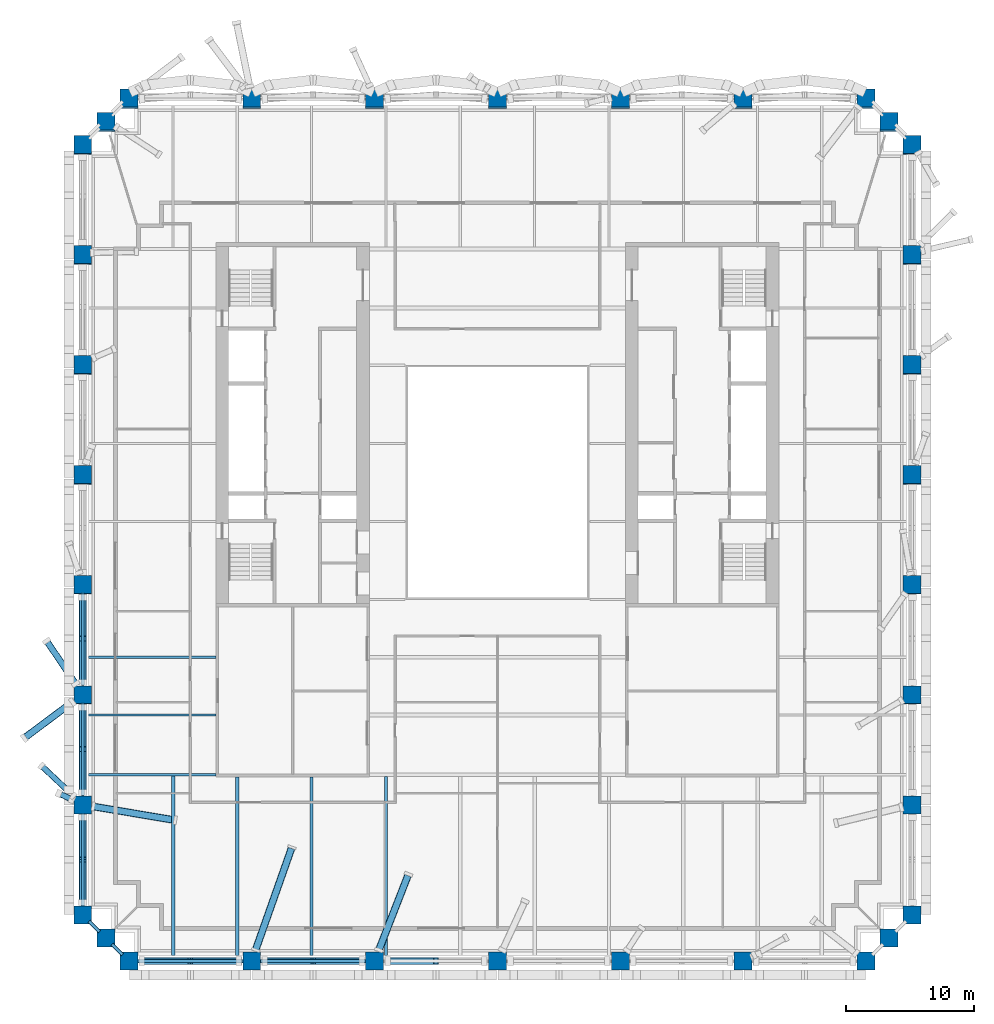
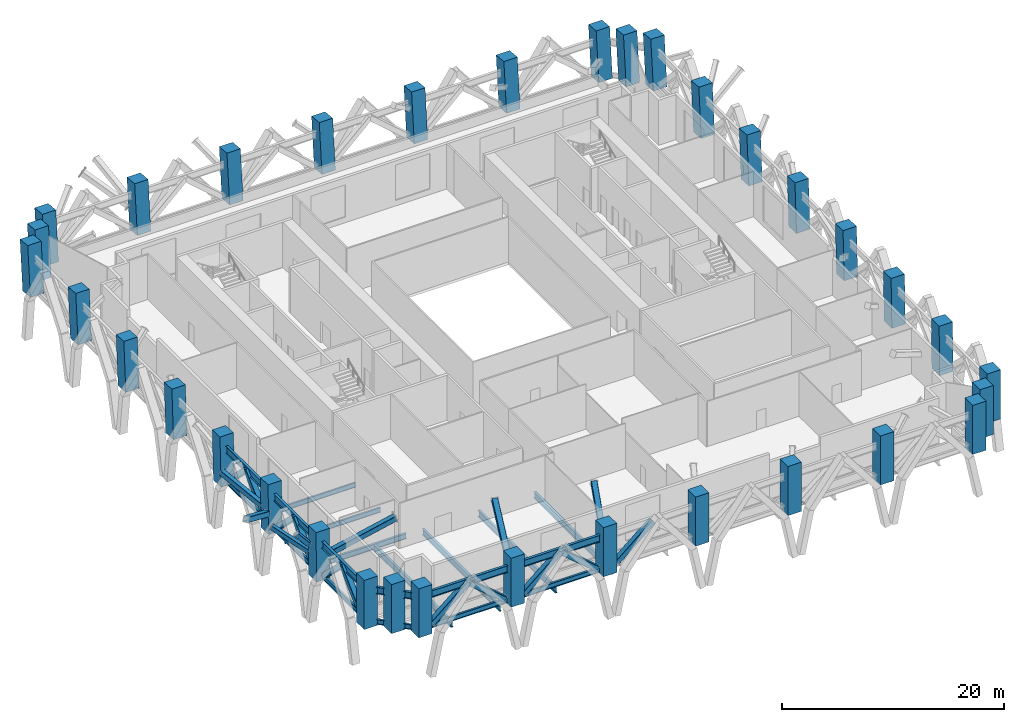
# One storey, part 1 of 19: 34 columns, 21 beams, 18 members.
"""IFC4 building model written with IfcOpenShell, lengths in metres."""

from ifc_helpers import new_model, si_unit, direction, frame, origin, origin_2d, place, context, subcontext, project, spatial, rectangle, hollow_rectangle, i_section, extrude, material, material_profile, profile_set, type_object, element, save


model = new_model("IFC4")

# Units and contexts
model_context = context("Model", 3, precision=1e-05, world=origin(), true_north=direction((0.0, 1.0)))
body_context = subcontext(model_context, "Body", "Model", "MODEL_VIEW")
ifc_project = project(units=[si_unit("LENGTHUNIT", "METRE"), si_unit("AREAUNIT", "SQUARE_METRE"), si_unit("VOLUMEUNIT", "CUBIC_METRE"), si_unit("PLANEANGLEUNIT", "RADIAN"), si_unit("MASSUNIT", "GRAM", prefix="KILO")], contexts=[model_context])

# Site, building, storey
site_placement = place(None, origin())
site = spatial("IfcSite", under=ifc_project, at=site_placement, CompositionType="ELEMENT")
building_placement = place(site_placement, origin())
building = spatial("IfcBuilding", under=site, at=building_placement, Name="Ogive Exchange Tower", CompositionType="ELEMENT")
storey_placement = place(building_placement, frame((0.0, 0.0, 94.199951171875)))
storey = spatial("IfcBuildingStorey", under=building, at=storey_placement, Name="L20", CompositionType="ELEMENT", Elevation=94.199951171875)

# Columns
ifc_material_1 = material(Name="Precast concrete C70/85 (limestone faced)", Category="masonry")
ifc_material_profile_1 = material_profile(ifc_material_1, rectangle(XDim=1.39990234375, YDim=1.39990234375, at=origin_2d()), Name="1400 x 1400")
ifc_profile_set_1 = profile_set([ifc_material_profile_1], Name="Precast concrete C70/85 (limestone faced)")
column_type = type_object("IfcColumnType", Name="Precast exoskeleton leg 1400 x 1400 C70/85", PredefinedType="COLUMN", material=ifc_profile_set_1)
for number, where, z_axis, x_axis, name in (
    (1, (-28.800048828125, -30.39990234375, 0.0), (0.0, 0.0, 1.0), (1.0, 0.0, 0.0), "Exoskeleton leg 1"),
    (2, (-19.199951171875, -30.39990234375, 0.0), (0.0, 0.0, 1.0), (1.0, 0.0, 0.0), "Exoskeleton leg 2"),
    (3, (-9.60009765625, -30.39990234375, 0.0), (0.0, 0.0, 1.0), (1.0, 0.0, 0.0), "Exoskeleton leg 3"),
    (4, (0.0, -30.39990234375, 0.0), (0.0, 0.0, 1.0), (1.0, 0.0, 0.0), "Exoskeleton leg 4"),
    (5, (9.60009765625, -30.39990234375, 0.0), (0.0, 0.0, 1.0), (1.0, 0.0, 0.0), "Exoskeleton leg 5"),
    (6, (19.199951171875, -30.39990234375, 0.0), (0.0, 0.0, 1.0), (1.0, 0.0, 0.0), "Exoskeleton leg 6"),
    (7, (28.800048828125, -30.39990234375, 0.0), (0.0, 0.0, 1.0), (1.0, 0.0, 0.0), "Exoskeleton leg 7"),
    (8, (32.39990234375, -26.800048828125, 0.0), (0.0, 0.0, 1.0), (1.0, 0.0, 0.0), "Exoskeleton leg 8"),
):
    element("IfcColumn", number, at=place(storey_placement, frame(where, z_axis=z_axis, x_axis=x_axis)), inside=storey, type_object=column_type, Name=name, PredefinedType="COLUMN", context=body_context, shape_type="SweptSolid", body=[
        extrude(rectangle(XDim=1.39990234375, YDim=1.39990234375, at=origin_2d()), origin(), (0.0, 0.0, 1.0), 5.400146484375),
    ])
column_1_placement = place(storey_placement, frame((32.39990234375, -18.212890625, 0.0), z_axis=(0.0, 0.012974178025, 0.99991583181), x_axis=(-1.0, 0.0, 0.0)))
element("IfcColumn", 9, at=column_1_placement, inside=storey, type_object=column_type, Name="Exoskeleton leg 9", PredefinedType="COLUMN", context=body_context, shape_type="SweptSolid", body=[
    extrude(rectangle(XDim=1.39990234375, YDim=1.39990234375, at=origin_2d()), origin(), (0.0, 0.0, 1.0), 5.400634765625),
])
column_2_placement = place(storey_placement, frame((32.39990234375, -9.6259765625, 0.0), z_axis=(0.0, 0.025986971018, 0.999662281642), x_axis=(-1.0, 0.0, 0.0)))
element("IfcColumn", 10, at=column_2_placement, inside=storey, type_object=column_type, Name="Exoskeleton leg 10", PredefinedType="COLUMN", context=body_context, shape_type="SweptSolid", body=[
    extrude(rectangle(XDim=1.39990234375, YDim=1.39990234375, at=origin_2d()), origin(), (0.0, 0.0, 1.0), 5.40185546875),
])
column_3_placement = place(storey_placement, frame((32.39990234375, -1.0390625, 0.0), z_axis=(0.0, 0.038941460624, 0.999241493656), x_axis=(-1.0, 0.0, 0.0)))
element("IfcColumn", 11, at=column_3_placement, inside=storey, type_object=column_type, Name="Exoskeleton leg 11", PredefinedType="COLUMN", context=body_context, shape_type="SweptSolid", body=[
    extrude(rectangle(XDim=1.39990234375, YDim=1.39990234375, at=origin_2d()), origin(), (0.0, 0.0, 1.0), 5.404296875),
])
column_4_placement = place(storey_placement, frame((32.39990234375, 7.548095703125, 0.0), z_axis=(0.0, 0.051876345664, 0.998653515871), x_axis=(-1.0, 0.0, 0.0)))
element("IfcColumn", 12, at=column_4_placement, inside=storey, type_object=column_type, Name="Exoskeleton leg 12", PredefinedType="COLUMN", context=body_context, shape_type="SweptSolid", body=[
    extrude(rectangle(XDim=1.39990234375, YDim=1.39990234375, at=origin_2d()), origin(), (0.0, 0.0, 1.0), 5.407470703125),
])
column_5_placement = place(storey_placement, frame((32.39990234375, 16.135009765625, 0.0), z_axis=(0.0, 0.064785175635, 0.9978992339), x_axis=(-1.0, 0.0, 0.0)))
element("IfcColumn", 13, at=column_5_placement, inside=storey, type_object=column_type, Name="Exoskeleton leg 13", PredefinedType="COLUMN", context=body_context, shape_type="SweptSolid", body=[
    extrude(rectangle(XDim=1.39990234375, YDim=1.39990234375, at=origin_2d()), origin(), (0.0, 0.0, 1.0), 5.41162109375),
])
column_6_placement = place(storey_placement, frame((32.39990234375, 24.72216796875, 0.0), z_axis=(0.0, 0.077661565196, 0.996979779781), x_axis=(-1.0, 0.0, 0.0)))
element("IfcColumn", 14, at=column_6_placement, inside=storey, type_object=column_type, Name="Exoskeleton leg 14", PredefinedType="COLUMN", context=body_context, shape_type="SweptSolid", body=[
    extrude(rectangle(XDim=1.39990234375, YDim=1.39990234375, at=origin_2d()), origin(), (0.0, 0.0, 1.0), 5.41650390625),
])
for number, where, z_axis, x_axis, name in (
    (15, (32.39990234375, 33.30908203125, 0.0), (0.0, 0.090543865175, 0.995892468331), (-1.0, 0.0, 0.0), "Exoskeleton leg 15"),
    (16, (28.800048828125, 36.9091796875, 0.0), (0.0, 0.090499209721, 0.995896527276), (-1.0, 0.0, 0.0), "Exoskeleton leg 16"),
    (17, (19.199951171875, 36.9091796875, 0.0), (0.0, 0.090499209721, 0.995896527276), (-1.0, 0.0, 0.0), "Exoskeleton leg 17"),
    (18, (9.60009765625, 36.9091796875, 0.0), (0.0, 0.090499209721, 0.995896527276), (-1.0, 0.0, 0.0), "Exoskeleton leg 18"),
    (19, (0.0, 36.9091796875, 0.0), (0.0, 0.090499209721, 0.995896527276), (-1.0, 0.0, 0.0), "Exoskeleton leg 19"),
    (20, (-9.60009765625, 36.9091796875, 0.0), (0.0, 0.090499209721, 0.995896527276), (-1.0, 0.0, 0.0), "Exoskeleton leg 20"),
    (21, (-19.199951171875, 36.9091796875, 0.0), (0.0, 0.090499209721, 0.995896527276), (-1.0, 0.0, 0.0), "Exoskeleton leg 21"),
    (22, (-28.800048828125, 36.9091796875, 0.0), (0.0, 0.090499209721, 0.995896527276), (-1.0, 0.0, 0.0), "Exoskeleton leg 22"),
    (23, (-32.39990234375, 33.30908203125, 0.0), (0.0, 0.090543865175, 0.995892468331), (-1.0, 0.0, 0.0), "Exoskeleton leg 23"),
):
    element("IfcColumn", number, at=place(storey_placement, frame(where, z_axis=z_axis, x_axis=x_axis)), inside=storey, type_object=column_type, Name=name, PredefinedType="COLUMN", context=body_context, shape_type="SweptSolid", body=[
        extrude(rectangle(XDim=1.39990234375, YDim=1.39990234375, at=origin_2d()), origin(), (0.0, 0.0, 1.0), 5.42236328125),
    ])
column_7_placement = place(storey_placement, frame((-32.39990234375, 24.72216796875, 0.0), z_axis=(0.0, 0.077661565196, 0.996979779781), x_axis=(-1.0, 0.0, 0.0)))
element("IfcColumn", 24, at=column_7_placement, inside=storey, type_object=column_type, Name="Exoskeleton leg 24", PredefinedType="COLUMN", context=body_context, shape_type="SweptSolid", body=[
    extrude(rectangle(XDim=1.39990234375, YDim=1.39990234375, at=origin_2d()), origin(), (0.0, 0.0, 1.0), 5.41650390625),
])
column_8_placement = place(storey_placement, frame((-32.39990234375, 16.135009765625, 0.0), z_axis=(0.0, 0.064785175635, 0.9978992339), x_axis=(-1.0, 0.0, 0.0)))
element("IfcColumn", 25, at=column_8_placement, inside=storey, type_object=column_type, Name="Exoskeleton leg 25", PredefinedType="COLUMN", context=body_context, shape_type="SweptSolid", body=[
    extrude(rectangle(XDim=1.39990234375, YDim=1.39990234375, at=origin_2d()), origin(), (0.0, 0.0, 1.0), 5.41162109375),
])
column_9_placement = place(storey_placement, frame((-32.39990234375, 7.548095703125, 0.0), z_axis=(0.0, 0.051876345664, 0.998653515871), x_axis=(-1.0, 0.0, 0.0)))
element("IfcColumn", 26, at=column_9_placement, inside=storey, type_object=column_type, Name="Exoskeleton leg 26", PredefinedType="COLUMN", context=body_context, shape_type="SweptSolid", body=[
    extrude(rectangle(XDim=1.39990234375, YDim=1.39990234375, at=origin_2d()), origin(), (0.0, 0.0, 1.0), 5.407470703125),
])
column_10_placement = place(storey_placement, frame((-32.39990234375, -1.0390625, 0.0), z_axis=(0.0, 0.038941460624, 0.999241493656), x_axis=(-1.0, 0.0, 0.0)))
element("IfcColumn", 27, at=column_10_placement, inside=storey, type_object=column_type, Name="Exoskeleton leg 27", PredefinedType="COLUMN", context=body_context, shape_type="SweptSolid", body=[
    extrude(rectangle(XDim=1.39990234375, YDim=1.39990234375, at=origin_2d()), origin(), (0.0, 0.0, 1.0), 5.404296875),
])
column_11_placement = place(storey_placement, frame((-32.39990234375, -9.6259765625, 0.0), z_axis=(0.0, 0.025986971018, 0.999662281642), x_axis=(-1.0, 0.0, 0.0)))
element("IfcColumn", 28, at=column_11_placement, inside=storey, type_object=column_type, Name="Exoskeleton leg 28", PredefinedType="COLUMN", context=body_context, shape_type="SweptSolid", body=[
    extrude(rectangle(XDim=1.39990234375, YDim=1.39990234375, at=origin_2d()), origin(), (0.0, 0.0, 1.0), 5.40185546875),
])
column_12_placement = place(storey_placement, frame((-32.39990234375, -18.212890625, 0.0), z_axis=(0.0, 0.012974178025, 0.99991583181), x_axis=(-1.0, 0.0, 0.0)))
element("IfcColumn", 29, at=column_12_placement, inside=storey, type_object=column_type, Name="Exoskeleton leg 29", PredefinedType="COLUMN", context=body_context, shape_type="SweptSolid", body=[
    extrude(rectangle(XDim=1.39990234375, YDim=1.39990234375, at=origin_2d()), origin(), (0.0, 0.0, 1.0), 5.400634765625),
])
for number, where, z_axis, x_axis, name in (
    (30, (-32.39990234375, -26.800048828125, 0.0), (0.0, 0.0, 1.0), (1.0, 0.0, 0.0), "Exoskeleton leg 30"),
    (31, (30.60009765625, -28.60009765625, 0.0), (0.0, 0.0, 1.0), (1.0, 0.0, 0.0), "Exoskeleton leg 31"),
):
    element("IfcColumn", number, at=place(storey_placement, frame(where, z_axis=z_axis, x_axis=x_axis)), inside=storey, type_object=column_type, Name=name, PredefinedType="COLUMN", context=body_context, shape_type="SweptSolid", body=[
        extrude(rectangle(XDim=1.39990234375, YDim=1.39990234375, at=origin_2d()), origin(), (0.0, 0.0, 1.0), 5.400146484375),
    ])
for number, where, z_axis, x_axis, name in (
    (32, (30.60009765625, 35.109130859375, 0.0), (0.0, 0.090543865175, 0.995892468331), (-1.0, 0.0, 0.0), "Exoskeleton leg 32"),
    (33, (-30.60009765625, 35.109130859375, 0.0), (0.0, 0.090543865175, 0.995892468331), (-1.0, 0.0, 0.0), "Exoskeleton leg 33"),
):
    element("IfcColumn", number, at=place(storey_placement, frame(where, z_axis=z_axis, x_axis=x_axis)), inside=storey, type_object=column_type, Name=name, PredefinedType="COLUMN", context=body_context, shape_type="SweptSolid", body=[
        extrude(rectangle(XDim=1.39990234375, YDim=1.39990234375, at=origin_2d()), origin(), (0.0, 0.0, 1.0), 5.42236328125),
    ])
column_13_placement = place(storey_placement, frame((-30.60009765625, -28.60009765625, 0.0), z_axis=(0.0, 0.0, 1.0), x_axis=(1.0, 0.0, 0.0)))
element("IfcColumn", 34, at=column_13_placement, inside=storey, type_object=column_type, Name="Exoskeleton leg 34", PredefinedType="COLUMN", context=body_context, shape_type="SweptSolid", body=[
    extrude(rectangle(XDim=1.39990234375, YDim=1.39990234375, at=origin_2d()), origin(), (0.0, 0.0, 1.0), 5.400146484375),
])

# Beams
ifc_material_2 = material(Name="Steel ASTM A992 Gr50", Category="steel")
ifc_material_profile_2 = material_profile(ifc_material_2, i_section(OverallWidth=0.2099609375, OverallDepth=0.535888671875, WebThickness=0.010986328125, FlangeThickness=0.017333984375, at=origin_2d()), Name="W530x101")
ifc_profile_set_2 = profile_set([ifc_material_profile_2], Name="Steel ASTM A992 Gr50")
beam_type_1 = type_object("IfcBeamType", Name="Belt truss bottom chord W530x101", PredefinedType="BEAM", material=ifc_profile_set_2)
beam_1_placement = place(storey_placement, frame((-28.1201171875, -30.39990234375, 0.400146484375), z_axis=(1.0, 0.0, 0.0), x_axis=(0.0, 1.0, 0.0)))
element("IfcBeam", 35, at=beam_1_placement, inside=storey, type_object=beam_type_1, Name="Belt truss bottom chord 1", PredefinedType="BEAM", context=body_context, shape_type="SweptSolid", body=[
    extrude(i_section(OverallWidth=0.2099609375, OverallDepth=0.535888671875, WebThickness=0.010986328125, FlangeThickness=0.017333984375, at=origin_2d()), origin(), (0.0, 0.0, 1.0), 8.240234375),
])
beam_2_placement = place(storey_placement, frame((-18.52001953125, -30.39990234375, 0.400146484375), z_axis=(1.0, 0.0, 0.0), x_axis=(0.0, 1.0, 0.0)))
element("IfcBeam", 36, at=beam_2_placement, inside=storey, type_object=beam_type_1, Name="Belt truss bottom chord 2", PredefinedType="BEAM", context=body_context, shape_type="SweptSolid", body=[
    extrude(i_section(OverallWidth=0.2099609375, OverallDepth=0.535888671875, WebThickness=0.010986328125, FlangeThickness=0.017333984375, at=origin_2d()), origin(), (0.0, 0.0, 1.0), 8.239990234375),
])
for number, where, z_axis, x_axis, name in (
    (37, (-32.39990234375, -1.703369140625, 0.400146484375), (0.0, -1.0, 0.0), (1.0, 0.0, 0.0), "Belt truss bottom chord 30"),
    (38, (-32.39990234375, -10.295654296875, 0.400146484375), (0.0, -1.0, 0.0), (1.0, 0.0, 0.0), "Belt truss bottom chord 31"),
):
    element("IfcBeam", number, at=place(storey_placement, frame(where, z_axis=z_axis, x_axis=x_axis)), inside=storey, type_object=beam_type_1, Name=name, PredefinedType="BEAM", context=body_context, shape_type="SweptSolid", body=[
        extrude(i_section(OverallWidth=0.2099609375, OverallDepth=0.535888671875, WebThickness=0.010986328125, FlangeThickness=0.017333984375, at=origin_2d()), origin(), (0.0, 0.0, 1.0), 7.232177734375),
    ])
beam_3_placement = place(storey_placement, frame((-32.39990234375, -18.8876953125, 0.400146484375), z_axis=(0.0, -1.0, 0.0), x_axis=(1.0, 0.0, 0.0)))
element("IfcBeam", 39, at=beam_3_placement, inside=storey, type_object=beam_type_1, Name="Belt truss bottom chord 32", PredefinedType="BEAM", context=body_context, shape_type="SweptSolid", body=[
    extrude(i_section(OverallWidth=0.2099609375, OverallDepth=0.535888671875, WebThickness=0.010986328125, FlangeThickness=0.017333984375, at=origin_2d()), origin(), (0.0, 0.0, 1.0), 7.232421875),
])
for number, where, z_axis, x_axis, name in (
    (40, (-31.912109375, -27.287841796875, 0.400146484375), (0.707106781187, -0.707106781187, 0.0), (0.707106781187, 0.707106781187, 0.0), "Belt truss bottom chord 33"),
    (41, (-30.112060546875, -29.087890625, 0.400146484375), (0.707106781187, -0.707106781187, 0.0), (0.707106781187, 0.707106781187, 0.0), "Belt truss bottom chord 34"),
):
    element("IfcBeam", number, at=place(storey_placement, frame(where, z_axis=z_axis, x_axis=x_axis)), inside=storey, type_object=beam_type_1, Name=name, PredefinedType="BEAM", context=body_context, shape_type="SweptSolid", body=[
        extrude(i_section(OverallWidth=0.2099609375, OverallDepth=0.535888671875, WebThickness=0.010986328125, FlangeThickness=0.017333984375, at=origin_2d()), origin(), (0.0, 0.0, 1.0), 1.16552734375),
    ])

# Members
ifc_material_3 = material(Name="Steel ASTM A1085 Gr A", Category="steel")
ifc_material_profile_3 = material_profile(ifc_material_3, hollow_rectangle(XDim=0.55908203125, YDim=0.55908203125, WallThickness=0.022216796875, InnerFilletRadius=0.022216796875, OuterFilletRadius=0.04443359375, at=origin_2d()), Name="HSS558.8x558.8x22.2")
ifc_profile_set_3 = profile_set([ifc_material_profile_3], Name="Steel ASTM A1085 Gr A")
member_type_1 = type_object("IfcMemberType", Name="Belt truss diagonal HSS558.8x558.8x22.2", PredefinedType="BRACE", material=ifc_profile_set_3)
for number, where, z_axis, x_axis, name in (
    (42, (-27.782958984375, -30.39990234375, 0.68408203125), (0.764580966565, 0.0, 0.644527691854), (0.0, 1.0, 0.0), "Belt truss diagonal 1a"),
    (43, (-20.217041015625, -30.39990234375, 0.68408203125), (-0.764580966565, 0.0, 0.644527691854), (0.0, -1.0, 0.0), "Belt truss diagonal 1b"),
):
    element("IfcMember", number, at=place(storey_placement, frame(where, z_axis=z_axis, x_axis=x_axis)), inside=storey, type_object=member_type_1, Name=name, PredefinedType="BRACE", context=body_context, shape_type="SweptSolid", body=[
        extrude(hollow_rectangle(XDim=0.55908203125, YDim=0.55908203125, WallThickness=0.022216796875, InnerFilletRadius=0.022216796875, OuterFilletRadius=0.04443359375, at=origin_2d()), origin(), (0.0, 0.0, 1.0), 4.94775390625),
    ])
member_1_placement = place(storey_placement, frame((-18.18310546875, -30.39990234375, 0.68408203125), z_axis=(0.764601463574, 0.0, 0.644503376175), x_axis=(0.0, 1.0, 0.0)))
element("IfcMember", 44, at=member_1_placement, inside=storey, type_object=member_type_1, Name="Belt truss diagonal 2a", PredefinedType="BRACE", context=body_context, shape_type="SweptSolid", body=[
    extrude(hollow_rectangle(XDim=0.55908203125, YDim=0.55908203125, WallThickness=0.022216796875, InnerFilletRadius=0.022216796875, OuterFilletRadius=0.04443359375, at=origin_2d()), origin(), (0.0, 0.0, 1.0), 4.947998046875),
])
for number, where, z_axis, x_axis, name in (
    (45, (-10.616943359375, -30.39990234375, 0.68408203125), (-0.764580966565, 0.0, 0.644527691854), (0.0, -1.0, 0.0), "Belt truss diagonal 2b"),
    (46, (-8.5830078125, -30.39990234375, 0.68408203125), (0.764580966565, 0.0, 0.644527691854), (0.0, 1.0, 0.0), "Belt truss diagonal 3a"),
):
    element("IfcMember", number, at=place(storey_placement, frame(where, z_axis=z_axis, x_axis=x_axis)), inside=storey, type_object=member_type_1, Name=name, PredefinedType="BRACE", context=body_context, shape_type="SweptSolid", body=[
        extrude(hollow_rectangle(XDim=0.55908203125, YDim=0.55908203125, WallThickness=0.022216796875, InnerFilletRadius=0.022216796875, OuterFilletRadius=0.04443359375, at=origin_2d()), origin(), (0.0, 0.0, 1.0), 4.94775390625),
    ])
member_2_placement = place(storey_placement, frame((-32.39990234375, -1.991455078125, 0.685546875), z_axis=(0.0, -0.710173745824, 0.704026455996), x_axis=(1.0, 0.0, 0.0)))
element("IfcMember", 47, at=member_2_placement, inside=storey, type_object=member_type_1, Name="Belt truss diagonal 30a", PredefinedType="BRACE", context=body_context, shape_type="SweptSolid", body=[
    extrude(hollow_rectangle(XDim=0.55908203125, YDim=0.55908203125, WallThickness=0.022216796875, InnerFilletRadius=0.022216796875, OuterFilletRadius=0.04443359375, at=origin_2d()), origin(), (0.0, 0.0, 1.0), 4.527587890625),
])
member_3_placement = place(storey_placement, frame((-32.39990234375, -8.62939453125, 0.68505859375), z_axis=(0.0, 0.731742254082, 0.681581450446), x_axis=(-1.0, 0.0, 0.0)))
element("IfcMember", 48, at=member_3_placement, inside=storey, type_object=member_type_1, Name="Belt truss diagonal 30b", PredefinedType="BRACE", context=body_context, shape_type="SweptSolid", body=[
    extrude(hollow_rectangle(XDim=0.55908203125, YDim=0.55908203125, WallThickness=0.022216796875, InnerFilletRadius=0.022216796875, OuterFilletRadius=0.04443359375, at=origin_2d()), origin(), (0.0, 0.0, 1.0), 4.67724609375),
])
member_4_placement = place(storey_placement, frame((-32.39990234375, -10.58740234375, 0.685546875), z_axis=(0.0, -0.714647112371, 0.699485171236), x_axis=(1.0, 0.0, 0.0)))
element("IfcMember", 49, at=member_4_placement, inside=storey, type_object=member_type_1, Name="Belt truss diagonal 31a", PredefinedType="BRACE", context=body_context, shape_type="SweptSolid", body=[
    extrude(hollow_rectangle(XDim=0.55908203125, YDim=0.55908203125, WallThickness=0.022216796875, InnerFilletRadius=0.022216796875, OuterFilletRadius=0.04443359375, at=origin_2d()), origin(), (0.0, 0.0, 1.0), 4.556884765625),
])
member_5_placement = place(storey_placement, frame((-32.39990234375, -17.225341796875, 0.68505859375), z_axis=(0.0, 0.727604389955, 0.685996976464), x_axis=(-1.0, 0.0, 0.0)))
element("IfcMember", 50, at=member_5_placement, inside=storey, type_object=member_type_1, Name="Belt truss diagonal 31b", PredefinedType="BRACE", context=body_context, shape_type="SweptSolid", body=[
    extrude(hollow_rectangle(XDim=0.55908203125, YDim=0.55908203125, WallThickness=0.022216796875, InnerFilletRadius=0.022216796875, OuterFilletRadius=0.04443359375, at=origin_2d()), origin(), (0.0, 0.0, 1.0), 4.647216796875),
])
member_6_placement = place(storey_placement, frame((-32.39990234375, -19.18310546875, 0.685546875), z_axis=(0.0, -0.71906018905, 0.694947799855), x_axis=(1.0, 0.0, 0.0)))
element("IfcMember", 51, at=member_6_placement, inside=storey, type_object=member_type_1, Name="Belt truss diagonal 32a", PredefinedType="BRACE", context=body_context, shape_type="SweptSolid", body=[
    extrude(hollow_rectangle(XDim=0.55908203125, YDim=0.55908203125, WallThickness=0.022216796875, InnerFilletRadius=0.022216796875, OuterFilletRadius=0.04443359375, at=origin_2d()), origin(), (0.0, 0.0, 1.0), 4.586669921875),
])
member_7_placement = place(storey_placement, frame((-32.39990234375, -25.821044921875, 0.685302734375), z_axis=(0.0, 0.723386756394, 0.690443046655), x_axis=(-1.0, 0.0, 0.0)))
element("IfcMember", 52, at=member_7_placement, inside=storey, type_object=member_type_1, Name="Belt truss diagonal 32b", PredefinedType="BRACE", context=body_context, shape_type="SweptSolid", body=[
    extrude(hollow_rectangle(XDim=0.55908203125, YDim=0.55908203125, WallThickness=0.022216796875, InnerFilletRadius=0.022216796875, OuterFilletRadius=0.04443359375, at=origin_2d()), origin(), (0.0, 0.0, 1.0), 4.616943359375),
])

# Beams
ifc_material_profile_4 = material_profile(ifc_material_2, i_section(OverallWidth=0.26708984375, OverallDepth=0.75390625, WebThickness=0.01318359375, FlangeThickness=0.01708984375, at=origin_2d()), Name="W760x147")
ifc_profile_set_4 = profile_set([ifc_material_profile_4], Name="Steel ASTM A992 Gr50")
beam_type_2 = type_object("IfcBeamType", Name="Belt truss top chord W760x147", PredefinedType="BEAM", material=ifc_profile_set_4)
beam_4_placement = place(storey_placement, frame((-28.1201171875, -30.39990234375, 3.873046875), z_axis=(1.0, 0.0, 0.0), x_axis=(0.0, 1.0, 0.0)))
element("IfcBeam", 53, at=beam_4_placement, inside=storey, type_object=beam_type_2, Name="Belt truss top chord 1", PredefinedType="BEAM", context=body_context, shape_type="SweptSolid", body=[
    extrude(i_section(OverallWidth=0.26708984375, OverallDepth=0.75390625, WebThickness=0.01318359375, FlangeThickness=0.01708984375, at=origin_2d()), origin(), (0.0, 0.0, 1.0), 8.240234375),
])
beam_5_placement = place(storey_placement, frame((-18.52001953125, -30.39990234375, 3.873046875), z_axis=(1.0, 0.0, 0.0), x_axis=(0.0, 1.0, 0.0)))
element("IfcBeam", 54, at=beam_5_placement, inside=storey, type_object=beam_type_2, Name="Belt truss top chord 2", PredefinedType="BEAM", context=body_context, shape_type="SweptSolid", body=[
    extrude(i_section(OverallWidth=0.26708984375, OverallDepth=0.75390625, WebThickness=0.01318359375, FlangeThickness=0.01708984375, at=origin_2d()), origin(), (0.0, 0.0, 1.0), 8.239990234375),
])
for number, where, z_axis, x_axis, name in (
    (55, (-32.39990234375, -1.568115234375, 3.873046875), (0.0, -1.0, 0.0), (1.0, 0.0, 0.0), "Belt truss top chord 30"),
    (56, (-32.39990234375, -10.205322265625, 3.873046875), (0.0, -1.0, 0.0), (1.0, 0.0, 0.0), "Belt truss top chord 31"),
    (57, (-32.39990234375, -18.8427734375, 3.873046875), (0.0, -1.0, 0.0), (1.0, 0.0, 0.0), "Belt truss top chord 32"),
):
    element("IfcBeam", number, at=place(storey_placement, frame(where, z_axis=z_axis, x_axis=x_axis)), inside=storey, type_object=beam_type_2, Name=name, PredefinedType="BEAM", context=body_context, shape_type="SweptSolid", body=[
        extrude(i_section(OverallWidth=0.26708984375, OverallDepth=0.75390625, WebThickness=0.01318359375, FlangeThickness=0.01708984375, at=origin_2d()), origin(), (0.0, 0.0, 1.0), 7.27734375),
    ])
for number, where, z_axis, x_axis, name in (
    (58, (-31.912109375, -27.287841796875, 3.873046875), (0.707106781187, -0.707106781187, 0.0), (0.707106781187, 0.707106781187, 0.0), "Belt truss top chord 33"),
    (59, (-30.112060546875, -29.087890625, 3.873046875), (0.707106781187, -0.707106781187, 0.0), (0.707106781187, 0.707106781187, 0.0), "Belt truss top chord 34"),
):
    element("IfcBeam", number, at=place(storey_placement, frame(where, z_axis=z_axis, x_axis=x_axis)), inside=storey, type_object=beam_type_2, Name=name, PredefinedType="BEAM", context=body_context, shape_type="SweptSolid", body=[
        extrude(i_section(OverallWidth=0.26708984375, OverallDepth=0.75390625, WebThickness=0.01318359375, FlangeThickness=0.01708984375, at=origin_2d()), origin(), (0.0, 0.0, 1.0), 1.16552734375),
    ])

# Members
ifc_material_profile_5 = material_profile(ifc_material_3, hollow_rectangle(XDim=0.45703125, YDim=0.45703125, WallThickness=0.01904296875, InnerFilletRadius=0.01904296875, OuterFilletRadius=0.0380859375, at=origin_2d()), Name="HSS457.2x457.2x19")
ifc_profile_set_5 = profile_set([ifc_material_profile_5], Name="Steel ASTM A1085 Gr A")
member_type_2 = type_object("IfcMemberType", Name="Block-change strut HSS457.2x457.2x19", PredefinedType="STRUT", material=ifc_profile_set_5)
member_8_placement = place(storey_placement, frame((-33.259033203125, -17.77001953125, 3.6103515625), z_axis=(-0.626522461445, 0.28896564327, 0.723856658679), x_axis=(-0.418820901272, -0.908068858985, 0.0)))
element("IfcMember", 60, at=member_8_placement, inside=storey, type_object=member_type_2, Name="Block-change strut 1", PredefinedType="STRUT", context=body_context, shape_type="SweptSolid", body=[
    extrude(hollow_rectangle(XDim=0.45703125, YDim=0.45703125, WallThickness=0.01904296875, InnerFilletRadius=0.01904296875, OuterFilletRadius=0.0380859375, at=origin_2d()), origin(), (0.0, 0.0, 1.0), 1.60791015625),
])
member_9_placement = place(storey_placement, frame((-33.13623046875, -17.486328125, 2.632080078125), z_axis=(-0.619001409533, 0.582367254227, 0.526958856269), x_axis=(-0.685225981388, -0.728330525538, 0.0)))
element("IfcMember", 61, at=member_9_placement, inside=storey, type_object=member_type_2, Name="Block-change strut 34", PredefinedType="STRUT", context=body_context, shape_type="SweptSolid", body=[
    extrude(hollow_rectangle(XDim=0.45703125, YDim=0.45703125, WallThickness=0.01904296875, InnerFilletRadius=0.01904296875, OuterFilletRadius=0.0380859375, at=origin_2d()), origin(), (0.0, 0.0, 1.0), 4.005126953125),
])
ifc_material_profile_6 = material_profile(ifc_material_3, hollow_rectangle(XDim=0.508056640625, YDim=0.508056640625, WallThickness=0.01904296875, InnerFilletRadius=0.01904296875, OuterFilletRadius=0.0380859375, at=origin_2d()), Name="HSS508x508x19")
ifc_profile_set_6 = profile_set([ifc_material_profile_6], Name="Steel ASTM A1085 Gr A")
member_type_3 = type_object("IfcMemberType", Name="Block-change strut HSS508x508x19", PredefinedType="STRUT", material=ifc_profile_set_6)
member_10_placement = place(storey_placement, frame((-32.955810546875, -8.7421875, 2.34375), z_axis=(-0.482228516525, 0.714242647596, 0.507260385015), x_axis=(-0.828786934791, -0.559564309726, 0.0)))
element("IfcMember", 62, at=member_10_placement, inside=storey, type_object=member_type_3, Name="Block-change strut 29", PredefinedType="STRUT", context=body_context, shape_type="SweptSolid", body=[
    extrude(hollow_rectangle(XDim=0.508056640625, YDim=0.508056640625, WallThickness=0.01904296875, InnerFilletRadius=0.01904296875, OuterFilletRadius=0.0380859375, at=origin_2d()), origin(), (0.0, 0.0, 1.0), 4.681640625),
])
ifc_material_profile_7 = material_profile(ifc_material_3, hollow_rectangle(XDim=0.55908203125, YDim=0.55908203125, WallThickness=0.022216796875, InnerFilletRadius=0.022216796875, OuterFilletRadius=0.04443359375, at=origin_2d()), Name="HSS558.8x558.8x22.2")
ifc_profile_set_7 = profile_set([ifc_material_profile_7], Name="Steel ASTM A1085 Gr A")
member_type_4 = type_object("IfcMemberType", Name="Block-change strut HSS558.8x558.8x22.2", PredefinedType="STRUT", material=ifc_profile_set_7)
member_11_placement = place(storey_placement, frame((-31.58154296875, -18.3212890625, 2.29638671875), z_axis=(0.925449670389, -0.155975061038, 0.345274800573), x_axis=(0.166195833682, 0.986092766867, 0.0)))
element("IfcMember", 63, at=member_11_placement, inside=storey, type_object=member_type_4, Name="Block-change strut 2", PredefinedType="STRUT", context=body_context, shape_type="SweptSolid", body=[
    extrude(hollow_rectangle(XDim=0.55908203125, YDim=0.55908203125, WallThickness=0.022216796875, InnerFilletRadius=0.022216796875, OuterFilletRadius=0.04443359375, at=origin_2d()), origin(), (0.0, 0.0, 1.0), 6.901123046875),
])
member_12_placement = place(storey_placement, frame((-18.894775390625, -29.53515625, 2.287841796875), z_axis=(0.32032190075, 0.907850889537, 0.27055617211), x_axis=(-0.943021645512, 0.332731387302, 0.0)))
element("IfcMember", 64, at=member_12_placement, inside=storey, type_object=member_type_4, Name="Block-change strut 3", PredefinedType="STRUT", context=body_context, shape_type="SweptSolid", body=[
    extrude(hollow_rectangle(XDim=0.55908203125, YDim=0.55908203125, WallThickness=0.022216796875, InnerFilletRadius=0.022216796875, OuterFilletRadius=0.04443359375, at=origin_2d()), origin(), (0.0, 0.0, 1.0), 8.820556640625),
])
member_13_placement = place(storey_placement, frame((-9.26220703125, -29.53369140625, 2.29736328125), z_axis=(0.340137608088, 0.872053396818, 0.351893848571), x_axis=(-0.931641252049, 0.363379385052, 0.0)))
element("IfcMember", 65, at=member_13_placement, inside=storey, type_object=member_type_4, Name="Block-change strut 4", PredefinedType="STRUT", context=body_context, shape_type="SweptSolid", body=[
    extrude(hollow_rectangle(XDim=0.55908203125, YDim=0.55908203125, WallThickness=0.022216796875, InnerFilletRadius=0.022216796875, OuterFilletRadius=0.04443359375, at=origin_2d()), origin(), (0.0, 0.0, 1.0), 6.77001953125),
])
member_14_placement = place(storey_placement, frame((-33.203125, -10.1650390625, 2.31201171875), z_axis=(-0.715064661967, -0.533059179714, 0.452250417499), x_axis=(0.597673009793, -0.801739966177, 0.0)))
element("IfcMember", 66, at=member_14_placement, inside=storey, type_object=member_type_4, Name="Block-change strut 30", PredefinedType="STRUT", context=body_context, shape_type="SweptSolid", body=[
    extrude(hollow_rectangle(XDim=0.55908203125, YDim=0.55908203125, WallThickness=0.022216796875, InnerFilletRadius=0.022216796875, OuterFilletRadius=0.04443359375, at=origin_2d()), origin(), (0.0, 0.0, 1.0), 5.2568359375),
])

# Beams
ifc_material_profile_8 = material_profile(ifc_material_2, i_section(OverallWidth=0.1669921875, OverallDepth=0.535888671875, WebThickness=0.01025390625, FlangeThickness=0.0166015625, at=origin_2d()), Name="W530x85")
ifc_profile_set_8 = profile_set([ifc_material_profile_8], Name="Steel ASTM A992 Gr50")
beam_type_3 = type_object("IfcBeamType", Name="Floor beam W530x85", PredefinedType="JOIST", material=ifc_profile_set_8)
for number, where, z_axis, x_axis, name in (
    (67, (-31.949951171875, -11.17822265625, -0.56787109375), (1.0, 0.0, 0.0), (0.0, 1.0, 0.0), "Floor beam"),
    (68, (-31.949951171875, -6.666748046875, -0.56787109375), (1.0, 0.0, 0.0), (0.0, 1.0, 0.0), "Floor beam"),
):
    element("IfcBeam", number, at=place(storey_placement, frame(where, z_axis=z_axis, x_axis=x_axis)), inside=storey, type_object=beam_type_3, Name=name, PredefinedType="JOIST", context=body_context, shape_type="SweptSolid", body=[
        extrude(i_section(OverallWidth=0.1669921875, OverallDepth=0.535888671875, WebThickness=0.01025390625, FlangeThickness=0.0166015625, at=origin_2d()), origin(), (0.0, 0.0, 1.0), 9.949951171875),
    ])
ifc_material_profile_9 = material_profile(ifc_material_2, i_section(OverallWidth=0.25390625, OverallDepth=0.677978515625, WebThickness=0.01171875, FlangeThickness=0.016357421875, at=origin_2d()), Name="W690x125")
ifc_profile_set_9 = profile_set([ifc_material_profile_9], Name="Steel ASTM A992 Gr50")
beam_type_4 = type_object("IfcBeamType", Name="Floor beam W690x125", PredefinedType="JOIST", material=ifc_profile_set_9)
beam_6_placement = place(storey_placement, frame((-25.3408203125, -29.949951171875, -0.638916015625), z_axis=(0.0, 1.0, 0.0), x_axis=(-1.0, 0.0, 0.0)))
element("IfcBeam", 69, at=beam_6_placement, inside=storey, type_object=beam_type_4, Name="Floor beam", PredefinedType="JOIST", context=body_context, shape_type="SweptSolid", body=[
    extrude(i_section(OverallWidth=0.25390625, OverallDepth=0.677978515625, WebThickness=0.01171875, FlangeThickness=0.016357421875, at=origin_2d()), origin(), (0.0, 0.0, 1.0), 13.990966796875),
])
for number, where, z_axis, x_axis, name in (
    (70, (-20.331787109375, -29.949951171875, -0.638916015625), (0.0, 1.0, 0.0), (-1.0, 0.0, 0.0), "Floor beam"),
    (71, (-14.522705078125, -29.949951171875, -0.638916015625), (0.0, 1.0, 0.0), (-1.0, 0.0, 0.0), "Floor beam"),
):
    element("IfcBeam", number, at=place(storey_placement, frame(where, z_axis=z_axis, x_axis=x_axis)), inside=storey, type_object=beam_type_4, Name=name, PredefinedType="JOIST", context=body_context, shape_type="SweptSolid", body=[
        extrude(i_section(OverallWidth=0.25390625, OverallDepth=0.677978515625, WebThickness=0.01171875, FlangeThickness=0.016357421875, at=origin_2d()), origin(), (0.0, 0.0, 1.0), 13.949951171875),
    ])
beam_7_placement = place(storey_placement, frame((-8.713623046875, -29.949951171875, -0.638916015625), z_axis=(0.0, 1.0, 0.0), x_axis=(-1.0, 0.0, 0.0)))
element("IfcBeam", 72, at=beam_7_placement, inside=storey, type_object=beam_type_4, Name="Floor beam", PredefinedType="JOIST", context=body_context, shape_type="SweptSolid", body=[
    extrude(i_section(OverallWidth=0.25390625, OverallDepth=0.677978515625, WebThickness=0.01171875, FlangeThickness=0.016357421875, at=origin_2d()), origin(), (0.0, 0.0, 1.0), 13.954833984375),
])
ifc_material_profile_10 = material_profile(ifc_material_2, i_section(OverallWidth=0.22802734375, OverallDepth=0.60205078125, WebThickness=0.010498046875, FlangeThickness=0.014892578125, at=origin_2d()), Name="W610x101")
ifc_profile_set_10 = profile_set([ifc_material_profile_10], Name="Steel ASTM A992 Gr50")
beam_type_5 = type_object("IfcBeamType", Name="Girder W610x101", PredefinedType="BEAM", material=ifc_profile_set_10)
beam_8_placement = place(storey_placement, frame((-31.949951171875, -15.844970703125, -0.600830078125), z_axis=(1.0, 0.0, 0.0), x_axis=(0.0, 1.0, 0.0)))
element("IfcBeam", 73, at=beam_8_placement, inside=storey, type_object=beam_type_5, Name="Header girder", PredefinedType="BEAM", context=body_context, shape_type="SweptSolid", body=[
    extrude(i_section(OverallWidth=0.22802734375, OverallDepth=0.60205078125, WebThickness=0.010498046875, FlangeThickness=0.014892578125, at=origin_2d()), origin(), (0.0, 0.0, 1.0), 9.949951171875),
])

save(model, "model.ifc")
